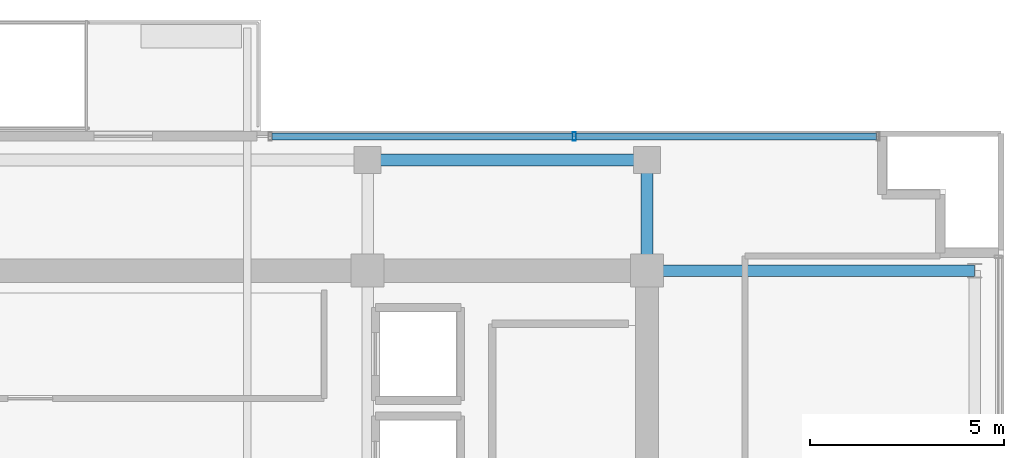
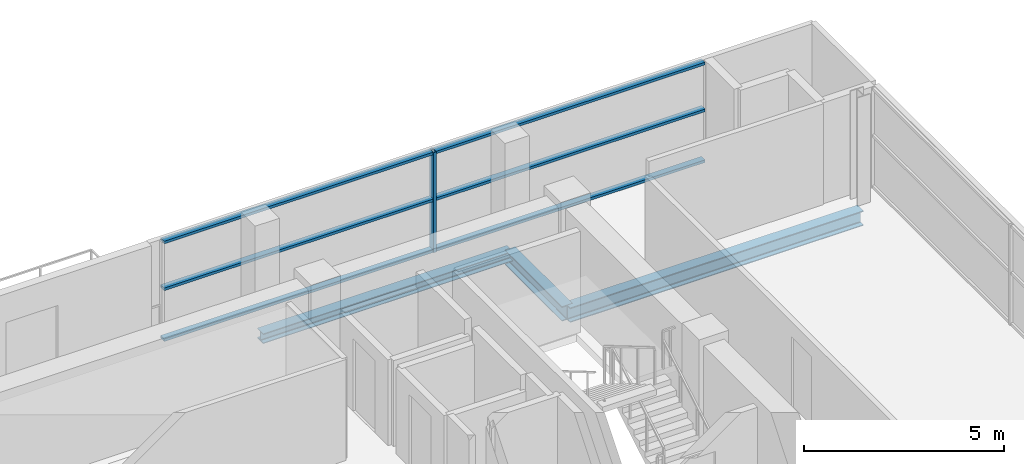
# One storey, part 13 of 24: 7 members, 3 beams, 1 element without a shape of its own.
"""IFC4 building model written with IfcOpenShell, lengths in metres."""

import ifcopenshell
import ifcopenshell.guid

model = None  # the IFC model being written
_history = None  # IfcOwnerHistory: only IFC2X3 demands one
_inside = {}  # id of a spatial element -> (the spatial element, [elements in it])
_under = {}  # id of a project, library or spatial element -> (it, [spatial elements below it])
_declared = {}  # id of a project -> (the project, [libraries it declares])
_typed = {}  # id of a type object -> (the type object, [elements of that type])
_made_of = {}  # id of a material, layer set ... -> (it, [elements and type objects made of it])


def new_model(schema):
    """Start an empty IFC model of exactly this schema.

    Asked for "IFC4X3", IfcOpenShell would pick the latest addendum, in which some entities
    have other attributes; the version numbers below select the first issue.
    IFC2X3 requires an IfcOwnerHistory on every rooted entity: one is made here for all.
    """
    global model, _history
    if schema == "IFC4X3":
        model = ifcopenshell.file(schema_version=(4, 3, 0, 0))
    else:
        model = ifcopenshell.file(schema=schema)
    _inside.clear()
    _under.clear()
    _declared.clear()
    _typed.clear()
    _made_of.clear()
    _history = None
    if model.schema == "IFC2X3":
        org = make("IfcOrganization", Name="unknown")
        user = make(
            "IfcPersonAndOrganization",
            ThePerson=make("IfcPerson", FamilyName="unknown"),
            TheOrganization=org,
        )
        app = make(
            "IfcApplication",
            ApplicationDeveloper=org,
            Version="unknown",
            ApplicationFullName="unknown",
            ApplicationIdentifier="unknown",
        )
        _history = make(
            "IfcOwnerHistory",
            OwningUser=user,
            OwningApplication=app,
            ChangeAction="ADDED",
            CreationDate=0,
        )
    return model


def make(cls, **values):
    """One entity of the class cls with the attributes given. An attribute that is None is left unset."""
    return model.create_entity(
        cls, **{name: value for name, value in values.items() if value is not None}
    )


def rooted(cls, **values):
    """An entity with a GlobalId (a new one), such as an element, a storey or a relation."""
    return make(cls, GlobalId=ifcopenshell.guid.new(), OwnerHistory=_history, **values)


def si_unit(unit_type, name, prefix=None):
    """IfcSIUnit, for example si_unit("LENGTHUNIT", "METRE", prefix="MILLI")."""
    return make("IfcSIUnit", UnitType=unit_type, Prefix=prefix, Name=name)


def assignment(units):
    """IfcUnitAssignment: the units of a project."""
    return None if units is None else make("IfcUnitAssignment", Units=units)


def point(xyz):
    """IfcCartesianPoint."""
    return None if xyz is None else make("IfcCartesianPoint", Coordinates=xyz)


def direction(xyz):
    """IfcDirection."""
    return None if xyz is None else make("IfcDirection", DirectionRatios=xyz)


def frame(location, z_axis=None, x_axis=None):
    """IfcAxis2Placement3D, a coordinate frame: its origin and axes. An axis left out is left unset."""
    return make(
        "IfcAxis2Placement3D",
        Location=point(location),
        Axis=direction(z_axis),
        RefDirection=direction(x_axis),
    )


def frame_2d(location, x_axis=None):
    """IfcAxis2Placement2D, a coordinate frame in the plane: its origin and x axis."""
    return make(
        "IfcAxis2Placement2D", Location=point(location), RefDirection=direction(x_axis)
    )


def origin():
    """The frame at (0, 0, 0) with its axes left unset."""
    return frame((0.0, 0.0, 0.0))


def origin_2d():
    """The frame at (0, 0) in the plane with its x axis left unset."""
    return frame_2d((0.0, 0.0))


def place(relative_to, where):
    """IfcLocalPlacement: puts the frame where relative to a parent placement (None: the world)."""
    return make(
        "IfcLocalPlacement", PlacementRelTo=relative_to, RelativePlacement=where
    )


def context(
    kind, dimensions, precision=None, world=None, true_north=None, identifier=None
):
    """IfcGeometricRepresentationContext, for example the 3D "Model" context."""
    return make(
        "IfcGeometricRepresentationContext",
        ContextIdentifier=identifier,
        ContextType=kind,
        CoordinateSpaceDimension=dimensions,
        Precision=precision,
        WorldCoordinateSystem=world,
        TrueNorth=true_north,
    )


def subcontext(parent, identifier, kind, view, scale=None):
    """IfcGeometricRepresentationSubContext, for example "Body" below "Model"."""
    return make(
        "IfcGeometricRepresentationSubContext",
        ContextIdentifier=identifier,
        ContextType=kind,
        ParentContext=parent,
        TargetScale=scale,
        TargetView=view,
    )


def project(units=None, contexts=None):
    """IfcProject with its units and contexts."""
    return rooted(
        "IfcProject",
        Name="project",
        RepresentationContexts=contexts,
        UnitsInContext=assignment(units),
    )


def spatial(cls, under=None, at=None, **own):
    """A site, building, storey or space (cls), placed at a placement, below another one or the project."""
    s = rooted(cls, ObjectPlacement=at, **own)
    if under is not None:
        _under.setdefault(under.id(), (under, []))[1].append(s)
    return s


def profile(cls, at=None, kind="AREA", **sizes):
    """A parametric profile (cls). Its sizes go by their IFC names, for example OverallWidth=200.0."""
    return make(cls, ProfileType=kind, Position=at, **sizes)


def hollow_rectangle(**sizes):
    """IfcRectangleHollowProfileDef."""
    return profile("IfcRectangleHollowProfileDef", **sizes)


def i_section(**sizes):
    """IfcIShapeProfileDef."""
    return profile("IfcIShapeProfileDef", **sizes)


def extrude(swept, where, along, depth):
    """IfcExtrudedAreaSolid: the profile swept, set in the frame where, extruded along a direction by depth."""
    return make(
        "IfcExtrudedAreaSolid",
        SweptArea=swept,
        Position=where,
        ExtrudedDirection=direction(along),
        Depth=depth,
    )


def shape(context_of_items, identifier, shape_type, items):
    """IfcShapeRepresentation: the items that make up one representation, for example the "Body"."""
    return make(
        "IfcShapeRepresentation",
        ContextOfItems=context_of_items,
        RepresentationIdentifier=identifier,
        RepresentationType=shape_type,
        Items=items,
    )


def source(mapping_origin, context_of_items, identifier, shape_type, items):
    """IfcRepresentationMap: a shape defined once, which mapped items show again and again."""
    return make(
        "IfcRepresentationMap",
        MappingOrigin=mapping_origin,
        MappedRepresentation=shape(context_of_items, identifier, shape_type, items),
    )


def transform(
    local_origin,
    x_axis=None,
    y_axis=None,
    z_axis=None,
    scale=None,
    scale2=None,
    scale3=None,
    uniform=True,
):
    """IfcCartesianTransformationOperator3D, or its non-uniform kind. x_axis, y_axis, z_axis: its Axis1, 2, 3."""
    if uniform:
        return make(
            "IfcCartesianTransformationOperator3D",
            Axis1=direction(x_axis),
            Axis2=direction(y_axis),
            LocalOrigin=point(local_origin),
            Scale=scale,
            Axis3=direction(z_axis),
        )
    return make(
        "IfcCartesianTransformationOperator3DnonUniform",
        Axis1=direction(x_axis),
        Axis2=direction(y_axis),
        LocalOrigin=point(local_origin),
        Scale=scale,
        Axis3=direction(z_axis),
        Scale2=scale2,
        Scale3=scale3,
    )


def mapped(mapping_source, mapping_target):
    """IfcMappedItem: shows the shape of a source again, moved by a transform."""
    return make(
        "IfcMappedItem", MappingSource=mapping_source, MappingTarget=mapping_target
    )


def material(Name=None, Category=None):
    """IfcMaterial."""
    return make("IfcMaterial", Name=Name, Category=Category)


def layer(
    of_material, thickness, ventilated=None, Name=None, Category=None, Priority=None
):
    """IfcMaterialLayer: one layer of a wall or slab, of a material (None: an air gap)."""
    return make(
        "IfcMaterialLayer",
        Material=of_material,
        LayerThickness=thickness,
        IsVentilated=ventilated,
        Name=Name,
        Category=Category,
        Priority=Priority,
    )


def layer_set(layers, Name=None):
    """IfcMaterialLayerSet."""
    return make("IfcMaterialLayerSet", MaterialLayers=layers, LayerSetName=Name)


def material_profile(
    of_material, cross_section, Name=None, Category=None, Priority=None
):
    """IfcMaterialProfile: a cross section and its material."""
    return make(
        "IfcMaterialProfile",
        Name=Name,
        Material=of_material,
        Profile=cross_section,
        Priority=Priority,
        Category=Category,
    )


def profile_set(profiles, Name=None, composite=None):
    """IfcMaterialProfileSet."""
    return make(
        "IfcMaterialProfileSet",
        Name=Name,
        MaterialProfiles=profiles,
        CompositeProfile=composite,
    )


def made_of(thing, what):
    """Note that an element or type object is made of a material, layer set ...; save() writes the relation."""
    if what is not None:
        _made_of.setdefault(what.id(), (what, []))[1].append(thing)
    return thing


def type_object(cls, material=None, **own):
    """A type object (cls), such as IfcWallType, which elements share."""
    return made_of(rooted(cls, **own), material)


def element(
    cls,
    number,
    at=None,
    inside=None,
    cuts=None,
    type_object=None,
    material=None,
    context=None,
    identifier="Body",
    shape_type=None,
    held_by="IfcProductDefinitionShape",
    body=None,
    shapes=None,
    **own,
):
    """One element of the class cls, such as IfcWall. Its Tag is "e" and its number.

    at: its placement. inside: the storey or other place that contains it. cuts: it is an
    opening in that element (IfcRelVoidsElement). A single representation is given by context,
    identifier, shape_type and body (its items); several are given by shapes. held_by: the class
    of the entity that holds the representations. save() writes the other relations.
    """
    e = rooted(cls, Tag="e%d" % number, ObjectPlacement=at, **own)
    if body is not None:
        shapes = [shape(context, identifier, shape_type, body)]
    if shapes is not None:
        e.Representation = make(held_by, Representations=shapes)
    if inside is not None:
        _inside.setdefault(inside.id(), (inside, []))[1].append(e)
    if cuts is not None:
        rooted(
            "IfcRelVoidsElement", RelatingBuildingElement=cuts, RelatedOpeningElement=e
        )
    if type_object is not None:
        _typed.setdefault(type_object.id(), (type_object, []))[1].append(e)
    return made_of(e, material)


def aggregate(whole, parts):
    """IfcRelAggregates: a whole, such as a stair, and the parts it consists of."""
    return rooted("IfcRelAggregates", RelatingObject=whole, RelatedObjects=parts)


def save(model, path):
    """Write the relations noted so far, then the file.

    IfcRelAggregates (storeys below a building ...), IfcRelContainedInSpatialStructure (elements
    in a storey), IfcRelDefinesByType, IfcRelAssociatesMaterial and IfcRelDeclares: one each for
    every whole, place, type object, material and project.
    """
    for whole, parts in _under.values():
        aggregate(whole, parts)
    for where, things in _inside.values():
        rooted(
            "IfcRelContainedInSpatialStructure",
            RelatedElements=things,
            RelatingStructure=where,
        )
    for kind, things in _typed.values():
        rooted("IfcRelDefinesByType", RelatedObjects=things, RelatingType=kind)
    for what, things in _made_of.values():
        rooted("IfcRelAssociatesMaterial", RelatedObjects=things, RelatingMaterial=what)
    for by, libraries in _declared.values():
        rooted("IfcRelDeclares", RelatingContext=by, RelatedDefinitions=libraries)
    model.write(path)


model = new_model("IFC4")

# Units and contexts
model_context = context("Model", 3, precision=1e-05, world=origin(), true_north=direction((0.0, 1.0)))
body_context = subcontext(model_context, "Body", "Model", "MODEL_VIEW")
ifc_project = project(units=[si_unit("LENGTHUNIT", "METRE"), si_unit("AREAUNIT", "SQUARE_METRE"), si_unit("VOLUMEUNIT", "CUBIC_METRE"), si_unit("PLANEANGLEUNIT", "RADIAN"), si_unit("MASSUNIT", "GRAM", prefix="KILO")], contexts=[model_context])

# Site, building, storey
site_placement = place(None, origin())
site = spatial("IfcSite", under=ifc_project, at=site_placement, CompositionType="ELEMENT")
building_placement = place(site_placement, origin())
building = spatial("IfcBuilding", under=site, at=building_placement, Name="Zarnakvel Exchange Tower", CompositionType="ELEMENT")
storey_placement = place(building_placement, frame((0.0, 0.0, 235.300048828125)))
storey = spatial("IfcBuildingStorey", under=building, at=storey_placement, Name="L66", CompositionType="ELEMENT", Elevation=235.300048828125)

# Beams
ifc_material_1 = material(Name="Steel S355", Category="steel")
ifc_material_profile_1 = material_profile(ifc_material_1, i_section(OverallWidth=0.300048828125, OverallDepth=0.449951171875, WebThickness=0.013916015625, FlangeThickness=0.02587890625, FilletRadius=0.027099609375, at=origin_2d()))
ifc_profile_set_1 = profile_set([ifc_material_profile_1], Name="Steel S355")
beam_type_1 = type_object("IfcBeamType", Name="G-07", PredefinedType="BEAM", material=ifc_profile_set_1)
beam_1_placement = place(storey_placement, frame((14.39990234375, 13.5, -0.449951171875), z_axis=(1.0, 0.0, 0.0), x_axis=(0.0, 1.0, 0.0)))
element("IfcBeam", 1, at=beam_1_placement, inside=storey, type_object=beam_type_1, Name="L66 Tower E-W Frame Beam", PredefinedType="BEAM", context=body_context, shape_type="SweptSolid", body=[
    extrude(i_section(OverallWidth=0.300048828125, OverallDepth=0.449951171875, WebThickness=0.013916015625, FlangeThickness=0.02587890625, FilletRadius=0.027099609375, at=origin_2d()), origin(), (0.0, 0.0, 1.0), 8.4501953125),
])
beam_2_placement = place(storey_placement, frame((14.39990234375, 13.5, -0.449951171875), z_axis=(0.0, 1.0, 0.0), x_axis=(-1.0, 0.0, 0.0)))
element("IfcBeam", 2, at=beam_2_placement, inside=storey, type_object=beam_type_1, Name="L66 Tower N-S Frame Beam", PredefinedType="BEAM", context=body_context, shape_type="SweptSolid", body=[
    extrude(i_section(OverallWidth=0.300048828125, OverallDepth=0.449951171875, WebThickness=0.013916015625, FlangeThickness=0.02587890625, FilletRadius=0.027099609375, at=origin_2d()), origin(), (0.0, 0.0, 1.0), 2.85009765625),
])
ifc_material_profile_2 = material_profile(ifc_material_1, i_section(OverallWidth=0.300048828125, OverallDepth=0.300048828125, WebThickness=0.010986328125, FlangeThickness=0.01904296875, FilletRadius=0.027099609375, at=origin_2d()))
ifc_profile_set_2 = profile_set([ifc_material_profile_2], Name="Steel S355")
beam_type_2 = type_object("IfcBeamType", Name="SP-03", PredefinedType="SPANDREL", material=ifc_profile_set_2)
beam_3_placement = place(storey_placement, frame((7.199951171875, 16.35009765625, -0.375), z_axis=(1.0, 0.0, 0.0), x_axis=(0.0, 1.0, 0.0)))
element("IfcBeam", 3, at=beam_3_placement, inside=storey, type_object=beam_type_2, Name="L66 Tower E-W Frame Beam", PredefinedType="SPANDREL", context=body_context, shape_type="SweptSolid", body=[
    extrude(i_section(OverallWidth=0.300048828125, OverallDepth=0.300048828125, WebThickness=0.010986328125, FlangeThickness=0.01904296875, FilletRadius=0.027099609375, at=origin_2d()), origin(), (0.0, 0.0, 1.0), 7.199951171875),
])

# Curtain wall, members
ifc_material_2 = material(Name="Architectural Bronze Anodised Aluminium", Category="aluminium")
ifc_layer = layer(ifc_material_2, 0.219970703125)
ifc_layer_set = layer_set([ifc_layer], Name="Architectural Bronze Anodised Aluminium")
curtain_wall_type = type_object("IfcCurtainWallType", Name="CW-03", PredefinedType="NOTDEFINED", material=ifc_layer_set)
curtain_wall_placement = place(storey_placement, origin())
curtain_wall = element("IfcCurtainWall", 4, at=curtain_wall_placement, inside=storey, type_object=curtain_wall_type, Name="L66 Curtain Wall CW-L66-N1 (CW-03)", PredefinedType="NOTDEFINED")
ifc_material_profile_3 = material_profile(ifc_material_2, hollow_rectangle(XDim=0.219970703125, YDim=0.080078125, WallThickness=0.0048828125, at=origin_2d()))
ifc_profile_set_3 = profile_set([ifc_material_profile_3], Name="Architectural Bronze Anodised Aluminium")
member_type_1 = type_object("IfcMemberType", Name="CWM-03", PredefinedType="MULLION", material=ifc_profile_set_3)
shared_shape_1 = source(origin(), body_context, "Body", "SweptSolid", [
    extrude(hollow_rectangle(XDim=0.219970703125, YDim=0.080078125, WallThickness=0.0048828125, at=origin_2d()), origin(), (0.0, 0.0, 1.0), 3.054931640625),
])
member_1_placement = place(storey_placement, frame((12.52490234375, 16.9599609375, 0.0), z_axis=(0.0, 0.0, 1.0), x_axis=(0.0, 1.0, 0.0)))
member_1 = element("IfcMember", 5, at=member_1_placement, type_object=member_type_1, Name="CW-03 mullion 2", PredefinedType="MULLION", context=body_context, shape_type="MappedRepresentation", body=[
    mapped(shared_shape_1, transform((0.0, 0.0, 0.0), x_axis=(1.0, 0.0, 0.0), y_axis=(0.0, 1.0, 0.0), z_axis=(0.0, 0.0, 1.0), scale=1.0)),
])
ifc_material_profile_4 = material_profile(ifc_material_2, hollow_rectangle(XDim=0.179931640625, YDim=0.080078125, WallThickness=0.00390625, at=origin_2d()))
ifc_profile_set_4 = profile_set([ifc_material_profile_4], Name="Architectural Bronze Anodised Aluminium")
member_type_2 = type_object("IfcMemberType", Name="CWT-03", PredefinedType="USERDEFINED", material=ifc_profile_set_4)
shared_shape_2 = source(origin(), body_context, "Body", "SweptSolid", [
    extrude(hollow_rectangle(XDim=0.179931640625, YDim=0.080078125, WallThickness=0.00390625, at=origin_2d()), origin(), (0.0, 0.0, 1.0), 7.755126953125),
])
member_2_placement = place(storey_placement, frame((4.72998046875, 16.9599609375, 0.0400390625), z_axis=(1.0, 0.0, 0.0), x_axis=(0.0, 1.0, 0.0)))
member_2 = element("IfcMember", 6, at=member_2_placement, type_object=member_type_2, Name="CW-03 transom 1.1", ObjectType="TRANSOM", PredefinedType="USERDEFINED", context=body_context, shape_type="MappedRepresentation", body=[
    mapped(shared_shape_2, transform((0.0, 0.0, 0.0), x_axis=(1.0, 0.0, 0.0), y_axis=(0.0, 1.0, 0.0), z_axis=(0.0, 0.0, 1.0), scale=1.0)),
])
member_3_placement = place(storey_placement, frame((4.72998046875, 16.9599609375, 1.588623046875), z_axis=(1.0, 0.0, 0.0), x_axis=(0.0, 1.0, 0.0)))
member_3 = element("IfcMember", 7, at=member_3_placement, type_object=member_type_2, Name="CW-03 transom 1.2", ObjectType="TRANSOM", PredefinedType="USERDEFINED", context=body_context, shape_type="MappedRepresentation", body=[
    mapped(shared_shape_2, transform((0.0, 0.0, 0.0), x_axis=(1.0, 0.0, 0.0), y_axis=(0.0, 1.0, 0.0), z_axis=(0.0, 0.0, 1.0), scale=1.0)),
])
member_4_placement = place(storey_placement, frame((4.72998046875, 16.9599609375, 3.014892578125), z_axis=(1.0, 0.0, 0.0), x_axis=(0.0, 1.0, 0.0)))
member_4 = element("IfcMember", 8, at=member_4_placement, type_object=member_type_2, Name="CW-03 transom 1.3", ObjectType="TRANSOM", PredefinedType="USERDEFINED", context=body_context, shape_type="MappedRepresentation", body=[
    mapped(shared_shape_2, transform((0.0, 0.0, 0.0), x_axis=(1.0, 0.0, 0.0), y_axis=(0.0, 1.0, 0.0), z_axis=(0.0, 0.0, 1.0), scale=1.0)),
])
member_5_placement = place(storey_placement, frame((12.56494140625, 16.9599609375, 0.0400390625), z_axis=(1.0, 0.0, 0.0), x_axis=(0.0, 1.0, 0.0)))
member_5 = element("IfcMember", 9, at=member_5_placement, type_object=member_type_2, Name="CW-03 transom 2.1", ObjectType="TRANSOM", PredefinedType="USERDEFINED", context=body_context, shape_type="MappedRepresentation", body=[
    mapped(shared_shape_2, transform((0.0, 0.0, 0.0), x_axis=(1.0, 0.0, 0.0), y_axis=(0.0, 1.0, 0.0), z_axis=(0.0, 0.0, 1.0), scale=1.0)),
])
member_6_placement = place(storey_placement, frame((12.56494140625, 16.9599609375, 1.588623046875), z_axis=(1.0, 0.0, 0.0), x_axis=(0.0, 1.0, 0.0)))
member_6 = element("IfcMember", 10, at=member_6_placement, type_object=member_type_2, Name="CW-03 transom 2.2", ObjectType="TRANSOM", PredefinedType="USERDEFINED", context=body_context, shape_type="MappedRepresentation", body=[
    mapped(shared_shape_2, transform((0.0, 0.0, 0.0), x_axis=(1.0, 0.0, 0.0), y_axis=(0.0, 1.0, 0.0), z_axis=(0.0, 0.0, 1.0), scale=1.0)),
])
member_7_placement = place(storey_placement, frame((12.56494140625, 16.9599609375, 3.014892578125), z_axis=(1.0, 0.0, 0.0), x_axis=(0.0, 1.0, 0.0)))
member_7 = element("IfcMember", 11, at=member_7_placement, type_object=member_type_2, Name="CW-03 transom 2.3", ObjectType="TRANSOM", PredefinedType="USERDEFINED", context=body_context, shape_type="MappedRepresentation", body=[
    mapped(shared_shape_2, transform((0.0, 0.0, 0.0), x_axis=(1.0, 0.0, 0.0), y_axis=(0.0, 1.0, 0.0), z_axis=(0.0, 0.0, 1.0), scale=1.0)),
])
aggregate(curtain_wall, [member_1, member_2, member_3, member_4, member_5, member_6, member_7])

save(model, "model.ifc")
